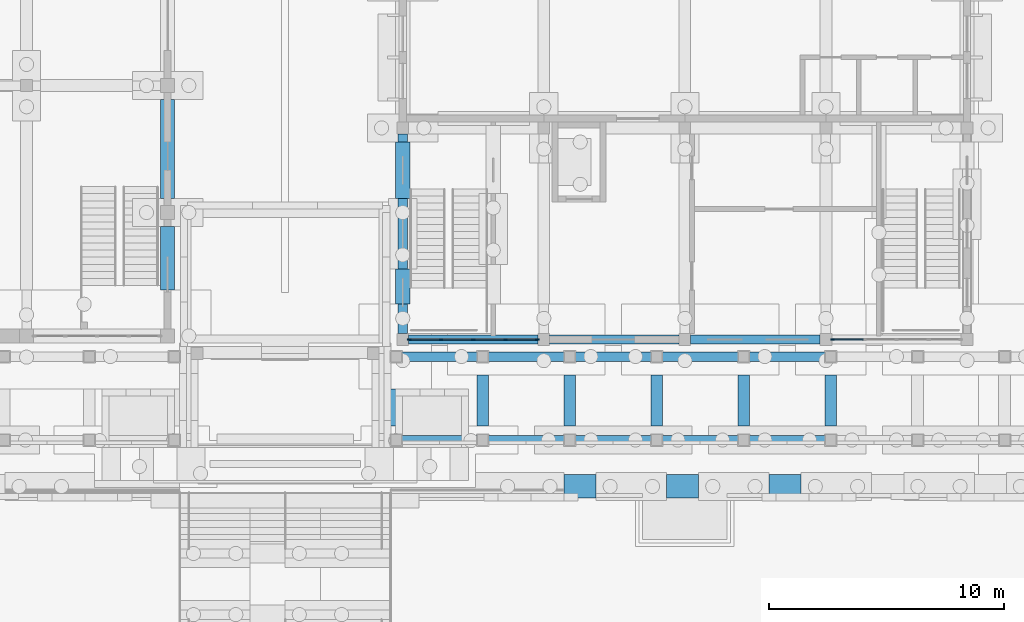
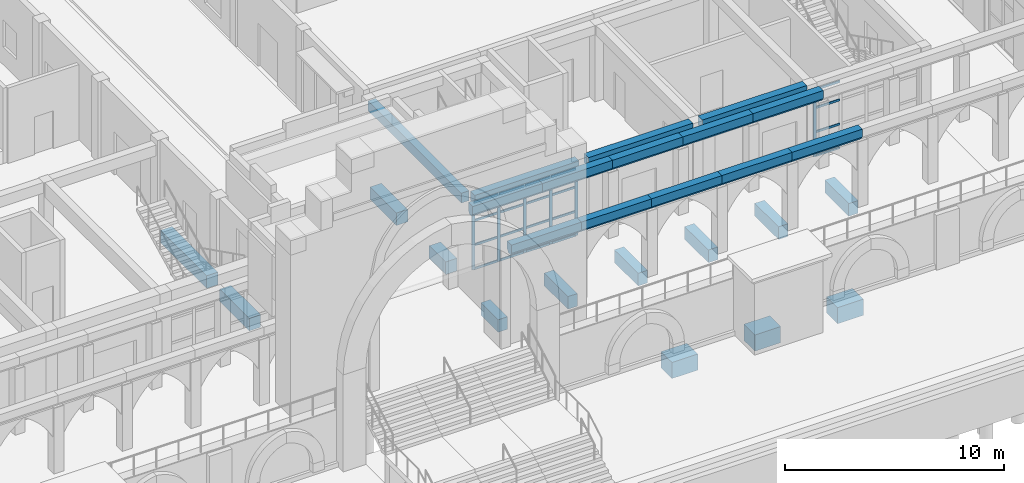
# One storey, part 12 of 161: 27 beams, 26 members, 2 elements without a shape of their own.
"""IFC4 building model written with IfcOpenShell, lengths in metres."""

import ifcopenshell
import ifcopenshell.guid

model = None  # the IFC model being written
_history = None  # IfcOwnerHistory: only IFC2X3 demands one
_inside = {}  # id of a spatial element -> (the spatial element, [elements in it])
_under = {}  # id of a project, library or spatial element -> (it, [spatial elements below it])
_declared = {}  # id of a project -> (the project, [libraries it declares])
_typed = {}  # id of a type object -> (the type object, [elements of that type])
_made_of = {}  # id of a material, layer set ... -> (it, [elements and type objects made of it])


def new_model(schema):
    """Start an empty IFC model of exactly this schema.

    Asked for "IFC4X3", IfcOpenShell would pick the latest addendum, in which some entities
    have other attributes; the version numbers below select the first issue.
    IFC2X3 requires an IfcOwnerHistory on every rooted entity: one is made here for all.
    """
    global model, _history
    if schema == "IFC4X3":
        model = ifcopenshell.file(schema_version=(4, 3, 0, 0))
    else:
        model = ifcopenshell.file(schema=schema)
    _inside.clear()
    _under.clear()
    _declared.clear()
    _typed.clear()
    _made_of.clear()
    _history = None
    if model.schema == "IFC2X3":
        org = make("IfcOrganization", Name="unknown")
        user = make(
            "IfcPersonAndOrganization",
            ThePerson=make("IfcPerson", FamilyName="unknown"),
            TheOrganization=org,
        )
        app = make(
            "IfcApplication",
            ApplicationDeveloper=org,
            Version="unknown",
            ApplicationFullName="unknown",
            ApplicationIdentifier="unknown",
        )
        _history = make(
            "IfcOwnerHistory",
            OwningUser=user,
            OwningApplication=app,
            ChangeAction="ADDED",
            CreationDate=0,
        )
    return model


def make(cls, **values):
    """One entity of the class cls with the attributes given. An attribute that is None is left unset."""
    return model.create_entity(
        cls, **{name: value for name, value in values.items() if value is not None}
    )


def rooted(cls, **values):
    """An entity with a GlobalId (a new one), such as an element, a storey or a relation."""
    return make(cls, GlobalId=ifcopenshell.guid.new(), OwnerHistory=_history, **values)


def si_unit(unit_type, name, prefix=None):
    """IfcSIUnit, for example si_unit("LENGTHUNIT", "METRE", prefix="MILLI")."""
    return make("IfcSIUnit", UnitType=unit_type, Prefix=prefix, Name=name)


def assignment(units):
    """IfcUnitAssignment: the units of a project."""
    return None if units is None else make("IfcUnitAssignment", Units=units)


def point(xyz):
    """IfcCartesianPoint."""
    return None if xyz is None else make("IfcCartesianPoint", Coordinates=xyz)


def direction(xyz):
    """IfcDirection."""
    return None if xyz is None else make("IfcDirection", DirectionRatios=xyz)


def frame(location, z_axis=None, x_axis=None):
    """IfcAxis2Placement3D, a coordinate frame: its origin and axes. An axis left out is left unset."""
    return make(
        "IfcAxis2Placement3D",
        Location=point(location),
        Axis=direction(z_axis),
        RefDirection=direction(x_axis),
    )


def frame_2d(location, x_axis=None):
    """IfcAxis2Placement2D, a coordinate frame in the plane: its origin and x axis."""
    return make(
        "IfcAxis2Placement2D", Location=point(location), RefDirection=direction(x_axis)
    )


def origin():
    """The frame at (0, 0, 0) with its axes left unset."""
    return frame((0.0, 0.0, 0.0))


def origin_2d():
    """The frame at (0, 0) in the plane with its x axis left unset."""
    return frame_2d((0.0, 0.0))


def place(relative_to, where):
    """IfcLocalPlacement: puts the frame where relative to a parent placement (None: the world)."""
    return make(
        "IfcLocalPlacement", PlacementRelTo=relative_to, RelativePlacement=where
    )


def context(
    kind, dimensions, precision=None, world=None, true_north=None, identifier=None
):
    """IfcGeometricRepresentationContext, for example the 3D "Model" context."""
    return make(
        "IfcGeometricRepresentationContext",
        ContextIdentifier=identifier,
        ContextType=kind,
        CoordinateSpaceDimension=dimensions,
        Precision=precision,
        WorldCoordinateSystem=world,
        TrueNorth=true_north,
    )


def subcontext(parent, identifier, kind, view, scale=None):
    """IfcGeometricRepresentationSubContext, for example "Body" below "Model"."""
    return make(
        "IfcGeometricRepresentationSubContext",
        ContextIdentifier=identifier,
        ContextType=kind,
        ParentContext=parent,
        TargetScale=scale,
        TargetView=view,
    )


def project(units=None, contexts=None):
    """IfcProject with its units and contexts."""
    return rooted(
        "IfcProject",
        Name="project",
        RepresentationContexts=contexts,
        UnitsInContext=assignment(units),
    )


def spatial(cls, under=None, at=None, **own):
    """A site, building, storey or space (cls), placed at a placement, below another one or the project."""
    s = rooted(cls, ObjectPlacement=at, **own)
    if under is not None:
        _under.setdefault(under.id(), (under, []))[1].append(s)
    return s


def polyline(points):
    """IfcPolyline through the points."""
    return make("IfcPolyline", Points=[point(p) for p in points])


def profile(cls, at=None, kind="AREA", **sizes):
    """A parametric profile (cls). Its sizes go by their IFC names, for example OverallWidth=200.0."""
    return make(cls, ProfileType=kind, Position=at, **sizes)


def rectangle(**sizes):
    """IfcRectangleProfileDef."""
    return profile("IfcRectangleProfileDef", **sizes)


def outline(outer, holes=None, kind="AREA"):
    """IfcArbitraryClosedProfileDef: a profile drawn as a closed curve; with holes, ...WithVoids."""
    if holes is None:
        return make("IfcArbitraryClosedProfileDef", ProfileType=kind, OuterCurve=outer)
    return make(
        "IfcArbitraryProfileDefWithVoids",
        ProfileType=kind,
        OuterCurve=outer,
        InnerCurves=holes,
    )


def extrude(swept, where, along, depth):
    """IfcExtrudedAreaSolid: the profile swept, set in the frame where, extruded along a direction by depth."""
    return make(
        "IfcExtrudedAreaSolid",
        SweptArea=swept,
        Position=where,
        ExtrudedDirection=direction(along),
        Depth=depth,
    )


def shape(context_of_items, identifier, shape_type, items):
    """IfcShapeRepresentation: the items that make up one representation, for example the "Body"."""
    return make(
        "IfcShapeRepresentation",
        ContextOfItems=context_of_items,
        RepresentationIdentifier=identifier,
        RepresentationType=shape_type,
        Items=items,
    )


def material(Name=None, Category=None):
    """IfcMaterial."""
    return make("IfcMaterial", Name=Name, Category=Category)


def material_profile(
    of_material, cross_section, Name=None, Category=None, Priority=None
):
    """IfcMaterialProfile: a cross section and its material."""
    return make(
        "IfcMaterialProfile",
        Name=Name,
        Material=of_material,
        Profile=cross_section,
        Priority=Priority,
        Category=Category,
    )


def profile_set(profiles, Name=None, composite=None):
    """IfcMaterialProfileSet."""
    return make(
        "IfcMaterialProfileSet",
        Name=Name,
        MaterialProfiles=profiles,
        CompositeProfile=composite,
    )


def made_of(thing, what):
    """Note that an element or type object is made of a material, layer set ...; save() writes the relation."""
    if what is not None:
        _made_of.setdefault(what.id(), (what, []))[1].append(thing)
    return thing


def type_object(cls, material=None, **own):
    """A type object (cls), such as IfcWallType, which elements share."""
    return made_of(rooted(cls, **own), material)


def element(
    cls,
    number,
    at=None,
    inside=None,
    cuts=None,
    type_object=None,
    material=None,
    context=None,
    identifier="Body",
    shape_type=None,
    held_by="IfcProductDefinitionShape",
    body=None,
    shapes=None,
    **own,
):
    """One element of the class cls, such as IfcWall. Its Tag is "e" and its number.

    at: its placement. inside: the storey or other place that contains it. cuts: it is an
    opening in that element (IfcRelVoidsElement). A single representation is given by context,
    identifier, shape_type and body (its items); several are given by shapes. held_by: the class
    of the entity that holds the representations. save() writes the other relations.
    """
    e = rooted(cls, Tag="e%d" % number, ObjectPlacement=at, **own)
    if body is not None:
        shapes = [shape(context, identifier, shape_type, body)]
    if shapes is not None:
        e.Representation = make(held_by, Representations=shapes)
    if inside is not None:
        _inside.setdefault(inside.id(), (inside, []))[1].append(e)
    if cuts is not None:
        rooted(
            "IfcRelVoidsElement", RelatingBuildingElement=cuts, RelatedOpeningElement=e
        )
    if type_object is not None:
        _typed.setdefault(type_object.id(), (type_object, []))[1].append(e)
    return made_of(e, material)


def aggregate(whole, parts):
    """IfcRelAggregates: a whole, such as a stair, and the parts it consists of."""
    return rooted("IfcRelAggregates", RelatingObject=whole, RelatedObjects=parts)


def save(model, path):
    """Write the relations noted so far, then the file.

    IfcRelAggregates (storeys below a building ...), IfcRelContainedInSpatialStructure (elements
    in a storey), IfcRelDefinesByType, IfcRelAssociatesMaterial and IfcRelDeclares: one each for
    every whole, place, type object, material and project.
    """
    for whole, parts in _under.values():
        aggregate(whole, parts)
    for where, things in _inside.values():
        rooted(
            "IfcRelContainedInSpatialStructure",
            RelatedElements=things,
            RelatingStructure=where,
        )
    for kind, things in _typed.values():
        rooted("IfcRelDefinesByType", RelatedObjects=things, RelatingType=kind)
    for what, things in _made_of.values():
        rooted("IfcRelAssociatesMaterial", RelatedObjects=things, RelatingMaterial=what)
    for by, libraries in _declared.values():
        rooted("IfcRelDeclares", RelatingContext=by, RelatedDefinitions=libraries)
    model.write(path)


model = new_model("IFC4")

# Units and contexts
model_context = context("Model", 3, precision=1e-05, world=origin(), true_north=direction((0.0, 1.0)))
body_context = subcontext(model_context, "Body", "Model", "MODEL_VIEW")
ifc_project = project(units=[si_unit("LENGTHUNIT", "METRE"), si_unit("AREAUNIT", "SQUARE_METRE"), si_unit("VOLUMEUNIT", "CUBIC_METRE"), si_unit("PLANEANGLEUNIT", "RADIAN"), si_unit("MASSUNIT", "GRAM", prefix="KILO")], contexts=[model_context])

# Site, building, storey
site_placement = place(None, origin())
site = spatial("IfcSite", under=ifc_project, at=site_placement, CompositionType="ELEMENT")
building_placement = place(site_placement, origin())
building = spatial("IfcBuilding", under=site, at=building_placement, Name="Elbe Cascade School", CompositionType="ELEMENT")
storey_placement = place(building_placement, origin())
storey = spatial("IfcBuildingStorey", under=building, at=storey_placement, Name="L00", CompositionType="ELEMENT", Elevation=0.0)

# Beams
ifc_material_1 = material(Name="Concrete C30/37", Category="concrete")
ifc_material_profile_1 = material_profile(ifc_material_1, rectangle(XDim=0.39990234375, YDim=0.5, at=origin_2d()), Name="RC 400x500")
ifc_profile_set_1 = profile_set([ifc_material_profile_1], Name="Concrete C30/37")
beam_type_1 = type_object("IfcBeamType", Name="Assembly hall beam RC 400x500", PredefinedType="BEAM", material=ifc_profile_set_1)
for number, where, z_axis, x_axis, name in (
    (1, (39.25, 6.0, 4.0), (1.0, 0.0, 0.0), (0.0, 1.0, 0.0), "Assembly hall beam RC 400x500 B19"),
    (2, (45.25, 6.0, 4.0), (1.0, 0.0, 0.0), (0.0, 1.0, 0.0), "Assembly hall beam RC 400x500 B19"),
    (3, (51.25, 6.0, 4.0), (1.0, 0.0, 0.0), (0.0, 1.0, 0.0), "Assembly hall beam RC 400x500 B19"),
):
    element("IfcBeam", number, at=place(storey_placement, frame(where, z_axis=z_axis, x_axis=x_axis)), inside=storey, type_object=beam_type_1, Name=name, PredefinedType="BEAM", context=body_context, shape_type="SweptSolid", body=[
        extrude(rectangle(XDim=0.39990234375, YDim=0.5, at=origin_2d()), origin(), (0.0, 0.0, 1.0), 5.5),
    ])
ifc_material_2 = material(Name="Concrete C30/37", Category="concrete")
ifc_material_profile_2 = material_profile(ifc_material_2, rectangle(XDim=0.39990234375, YDim=0.550048828125, at=origin_2d()), Name="RC 400x550")
ifc_profile_set_2 = profile_set([ifc_material_profile_2], Name="Concrete C30/37")
beam_type_2 = type_object("IfcBeamType", Name="Assembly hall beam RC 400x550", PredefinedType="BEAM", material=ifc_profile_set_2)
beam_1_placement = place(storey_placement, frame((39.0, 6.25, 3.97509765625), z_axis=(0.0, 1.0, 0.0), x_axis=(-1.0, 0.0, 0.0)))
element("IfcBeam", 4, at=beam_1_placement, inside=storey, type_object=beam_type_2, Name="Assembly hall beam RC 400x550 B21", PredefinedType="BEAM", context=body_context, shape_type="SweptSolid", body=[
    extrude(rectangle(XDim=0.39990234375, YDim=0.550048828125, at=origin_2d()), origin(), (0.0, 0.0, 1.0), 8.5),
])

# Curtain wall, members
ifc_material_3 = material(Name="Cafe curtain wall")
curtain_wall_type = type_object("IfcCurtainWallType", Name="Cafe curtain wall", PredefinedType="NOTDEFINED", material=ifc_material_3)
curtain_wall_1_placement = place(storey_placement, origin())
curtain_wall_1 = element("IfcCurtainWall", 5, at=curtain_wall_1_placement, inside=storey, type_object=curtain_wall_type, Name="Curtain wall CW1 DI.L00.cw.s0", PredefinedType="NOTDEFINED")
ifc_material_4 = material(Name="Aluminium - bronze anodised", Category="aluminium")
ifc_material_profile_3 = material_profile(ifc_material_4, rectangle(XDim=0.06005859375, YDim=0.159912109375, at=origin_2d()), Name="RECT 60x160")
ifc_profile_set_3 = profile_set([ifc_material_profile_3], Name="Aluminium - bronze anodised")
member_type_1 = type_object("IfcMemberType", Name="Cafe curtain wall mullion 60 x 160", PredefinedType="MULLION", material=ifc_profile_set_3)
member_1_placement = place(storey_placement, frame((39.280029296875, 6.0, 0.0), z_axis=(0.0, 0.0, 1.0), x_axis=(0.0, 1.0, 0.0)))
member_1 = element("IfcMember", 6, at=member_1_placement, type_object=member_type_1, Name="CW1 mullion 1", PredefinedType="MULLION", context=body_context, shape_type="SweptSolid", body=[
    extrude(rectangle(XDim=0.06005859375, YDim=0.159912109375, at=origin_2d()), origin(), (0.0, 0.0, 1.0), 3.75),
])
member_2_placement = place(storey_placement, frame((40.625, 6.0, 0.0), z_axis=(0.0, 0.0, 1.0), x_axis=(0.0, 1.0, 0.0)))
member_2 = element("IfcMember", 7, at=member_2_placement, type_object=member_type_1, Name="CW1 mullion 2", PredefinedType="MULLION", context=body_context, shape_type="SweptSolid", body=[
    extrude(rectangle(XDim=0.06005859375, YDim=0.159912109375, at=origin_2d()), origin(), (0.0, 0.0, 1.0), 3.75),
])
member_3_placement = place(storey_placement, frame((42.0, 6.0, 0.0), z_axis=(0.0, 0.0, 1.0), x_axis=(0.0, 1.0, 0.0)))
member_3 = element("IfcMember", 8, at=member_3_placement, type_object=member_type_1, Name="CW1 mullion 3", PredefinedType="MULLION", context=body_context, shape_type="SweptSolid", body=[
    extrude(rectangle(XDim=0.06005859375, YDim=0.159912109375, at=origin_2d()), origin(), (0.0, 0.0, 1.0), 3.75),
])
member_4_placement = place(storey_placement, frame((43.375, 6.0, 0.0), z_axis=(0.0, 0.0, 1.0), x_axis=(0.0, 1.0, 0.0)))
member_4 = element("IfcMember", 9, at=member_4_placement, type_object=member_type_1, Name="CW1 mullion 4", PredefinedType="MULLION", context=body_context, shape_type="SweptSolid", body=[
    extrude(rectangle(XDim=0.06005859375, YDim=0.159912109375, at=origin_2d()), origin(), (0.0, 0.0, 1.0), 3.75),
])
member_5_placement = place(storey_placement, frame((44.719970703125, 6.0, 0.0), z_axis=(0.0, 0.0, 1.0), x_axis=(0.0, 1.0, 0.0)))
member_5 = element("IfcMember", 10, at=member_5_placement, type_object=member_type_1, Name="CW1 mullion 5", PredefinedType="MULLION", context=body_context, shape_type="SweptSolid", body=[
    extrude(rectangle(XDim=0.06005859375, YDim=0.159912109375, at=origin_2d()), origin(), (0.0, 0.0, 1.0), 3.75),
])

# Curtain wall, member
curtain_wall_2_placement = place(storey_placement, origin())
curtain_wall_2 = element("IfcCurtainWall", 11, at=curtain_wall_2_placement, inside=storey, type_object=curtain_wall_type, Name="Curtain wall CW1 DI.L00.cw.s3", PredefinedType="NOTDEFINED")
member_6_placement = place(storey_placement, frame((57.280029296875, 6.0, 0.0), z_axis=(0.0, 0.0, 1.0), x_axis=(0.0, 1.0, 0.0)))
member_6 = element("IfcMember", 12, at=member_6_placement, type_object=member_type_1, Name="CW1 mullion 1", PredefinedType="MULLION", context=body_context, shape_type="SweptSolid", body=[
    extrude(rectangle(XDim=0.06005859375, YDim=0.159912109375, at=origin_2d()), origin(), (0.0, 0.0, 1.0), 3.75),
])

# Member
ifc_material_5 = material(Name="Aluminium - bronze anodised", Category="aluminium")
ifc_material_profile_4 = material_profile(ifc_material_5, rectangle(XDim=0.06005859375, YDim=0.1201171875, at=origin_2d()), Name="RECT 60x120")
ifc_profile_set_4 = profile_set([ifc_material_profile_4], Name="Aluminium - bronze anodised")
member_type_2 = type_object("IfcMemberType", Name="Cafe curtain wall transom 60 x 120", PredefinedType="USERDEFINED", material=ifc_profile_set_4)
member_7_placement = place(storey_placement, frame((39.31005859375, 6.0, 0.030029296875), z_axis=(1.0, 0.0, 0.0), x_axis=(0.0, 1.0, 0.0)))
member_7 = element("IfcMember", 13, at=member_7_placement, type_object=member_type_2, Name="CW1 transom 1.1", ObjectType="TRANSOM", PredefinedType="USERDEFINED", context=body_context, shape_type="SweptSolid", body=[
    extrude(rectangle(XDim=0.06005859375, YDim=0.1201171875, at=origin_2d()), origin(), (0.0, 0.0, 1.0), 1.284912109375),
])

member_8_placement = place(storey_placement, frame((39.31005859375, 6.0, 1.35009765625), z_axis=(1.0, 0.0, 0.0), x_axis=(0.0, 1.0, 0.0)))
member_8 = element("IfcMember", 14, at=member_8_placement, type_object=member_type_2, Name="CW1 transom 1.2", ObjectType="TRANSOM", PredefinedType="USERDEFINED", context=body_context, shape_type="SweptSolid", body=[
    extrude(rectangle(XDim=0.06005859375, YDim=0.1201171875, at=origin_2d()), origin(), (0.0, 0.0, 1.0), 1.284912109375),
])

member_9_placement = place(storey_placement, frame((39.31005859375, 6.0, 2.699951171875), z_axis=(1.0, 0.0, 0.0), x_axis=(0.0, 1.0, 0.0)))
member_9 = element("IfcMember", 15, at=member_9_placement, type_object=member_type_2, Name="CW1 transom 1.3", ObjectType="TRANSOM", PredefinedType="USERDEFINED", context=body_context, shape_type="SweptSolid", body=[
    extrude(rectangle(XDim=0.06005859375, YDim=0.1201171875, at=origin_2d()), origin(), (0.0, 0.0, 1.0), 1.284912109375),
])

member_10_placement = place(storey_placement, frame((39.31005859375, 6.0, 3.719970703125), z_axis=(1.0, 0.0, 0.0), x_axis=(0.0, 1.0, 0.0)))
member_10 = element("IfcMember", 16, at=member_10_placement, type_object=member_type_2, Name="CW1 transom 1.4", ObjectType="TRANSOM", PredefinedType="USERDEFINED", context=body_context, shape_type="SweptSolid", body=[
    extrude(rectangle(XDim=0.06005859375, YDim=0.1201171875, at=origin_2d()), origin(), (0.0, 0.0, 1.0), 1.284912109375),
])

member_11_placement = place(storey_placement, frame((40.655029296875, 6.0, 0.030029296875), z_axis=(1.0, 0.0, 0.0), x_axis=(0.0, 1.0, 0.0)))
member_11 = element("IfcMember", 17, at=member_11_placement, type_object=member_type_2, Name="CW1 transom 2.1", ObjectType="TRANSOM", PredefinedType="USERDEFINED", context=body_context, shape_type="SweptSolid", body=[
    extrude(rectangle(XDim=0.06005859375, YDim=0.1201171875, at=origin_2d()), origin(), (0.0, 0.0, 1.0), 1.31494140625),
])

member_12_placement = place(storey_placement, frame((40.655029296875, 6.0, 1.35009765625), z_axis=(1.0, 0.0, 0.0), x_axis=(0.0, 1.0, 0.0)))
member_12 = element("IfcMember", 18, at=member_12_placement, type_object=member_type_2, Name="CW1 transom 2.2", ObjectType="TRANSOM", PredefinedType="USERDEFINED", context=body_context, shape_type="SweptSolid", body=[
    extrude(rectangle(XDim=0.06005859375, YDim=0.1201171875, at=origin_2d()), origin(), (0.0, 0.0, 1.0), 1.31494140625),
])

member_13_placement = place(storey_placement, frame((40.655029296875, 6.0, 2.699951171875), z_axis=(1.0, 0.0, 0.0), x_axis=(0.0, 1.0, 0.0)))
member_13 = element("IfcMember", 19, at=member_13_placement, type_object=member_type_2, Name="CW1 transom 2.3", ObjectType="TRANSOM", PredefinedType="USERDEFINED", context=body_context, shape_type="SweptSolid", body=[
    extrude(rectangle(XDim=0.06005859375, YDim=0.1201171875, at=origin_2d()), origin(), (0.0, 0.0, 1.0), 1.31494140625),
])

member_14_placement = place(storey_placement, frame((40.655029296875, 6.0, 3.719970703125), z_axis=(1.0, 0.0, 0.0), x_axis=(0.0, 1.0, 0.0)))
member_14 = element("IfcMember", 20, at=member_14_placement, type_object=member_type_2, Name="CW1 transom 2.4", ObjectType="TRANSOM", PredefinedType="USERDEFINED", context=body_context, shape_type="SweptSolid", body=[
    extrude(rectangle(XDim=0.06005859375, YDim=0.1201171875, at=origin_2d()), origin(), (0.0, 0.0, 1.0), 1.31494140625),
])

member_15_placement = place(storey_placement, frame((42.030029296875, 6.0, 0.030029296875), z_axis=(1.0, 0.0, 0.0), x_axis=(0.0, 1.0, 0.0)))
member_15 = element("IfcMember", 21, at=member_15_placement, type_object=member_type_2, Name="CW1 transom 3.1", ObjectType="TRANSOM", PredefinedType="USERDEFINED", context=body_context, shape_type="SweptSolid", body=[
    extrude(rectangle(XDim=0.06005859375, YDim=0.1201171875, at=origin_2d()), origin(), (0.0, 0.0, 1.0), 1.31494140625),
])

member_16_placement = place(storey_placement, frame((42.030029296875, 6.0, 1.35009765625), z_axis=(1.0, 0.0, 0.0), x_axis=(0.0, 1.0, 0.0)))
member_16 = element("IfcMember", 22, at=member_16_placement, type_object=member_type_2, Name="CW1 transom 3.2", ObjectType="TRANSOM", PredefinedType="USERDEFINED", context=body_context, shape_type="SweptSolid", body=[
    extrude(rectangle(XDim=0.06005859375, YDim=0.1201171875, at=origin_2d()), origin(), (0.0, 0.0, 1.0), 1.31494140625),
])

member_17_placement = place(storey_placement, frame((42.030029296875, 6.0, 2.699951171875), z_axis=(1.0, 0.0, 0.0), x_axis=(0.0, 1.0, 0.0)))
member_17 = element("IfcMember", 23, at=member_17_placement, type_object=member_type_2, Name="CW1 transom 3.3", ObjectType="TRANSOM", PredefinedType="USERDEFINED", context=body_context, shape_type="SweptSolid", body=[
    extrude(rectangle(XDim=0.06005859375, YDim=0.1201171875, at=origin_2d()), origin(), (0.0, 0.0, 1.0), 1.31494140625),
])

member_18_placement = place(storey_placement, frame((42.030029296875, 6.0, 3.719970703125), z_axis=(1.0, 0.0, 0.0), x_axis=(0.0, 1.0, 0.0)))
member_18 = element("IfcMember", 24, at=member_18_placement, type_object=member_type_2, Name="CW1 transom 3.4", ObjectType="TRANSOM", PredefinedType="USERDEFINED", context=body_context, shape_type="SweptSolid", body=[
    extrude(rectangle(XDim=0.06005859375, YDim=0.1201171875, at=origin_2d()), origin(), (0.0, 0.0, 1.0), 1.31494140625),
])

member_19_placement = place(storey_placement, frame((43.405029296875, 6.0, 0.030029296875), z_axis=(1.0, 0.0, 0.0), x_axis=(0.0, 1.0, 0.0)))
member_19 = element("IfcMember", 25, at=member_19_placement, type_object=member_type_2, Name="CW1 transom 4.1", ObjectType="TRANSOM", PredefinedType="USERDEFINED", context=body_context, shape_type="SweptSolid", body=[
    extrude(rectangle(XDim=0.06005859375, YDim=0.1201171875, at=origin_2d()), origin(), (0.0, 0.0, 1.0), 1.284912109375),
])

member_20_placement = place(storey_placement, frame((43.405029296875, 6.0, 1.35009765625), z_axis=(1.0, 0.0, 0.0), x_axis=(0.0, 1.0, 0.0)))
member_20 = element("IfcMember", 26, at=member_20_placement, type_object=member_type_2, Name="CW1 transom 4.2", ObjectType="TRANSOM", PredefinedType="USERDEFINED", context=body_context, shape_type="SweptSolid", body=[
    extrude(rectangle(XDim=0.06005859375, YDim=0.1201171875, at=origin_2d()), origin(), (0.0, 0.0, 1.0), 1.284912109375),
])

member_21_placement = place(storey_placement, frame((43.405029296875, 6.0, 2.699951171875), z_axis=(1.0, 0.0, 0.0), x_axis=(0.0, 1.0, 0.0)))
member_21 = element("IfcMember", 27, at=member_21_placement, type_object=member_type_2, Name="CW1 transom 4.3", ObjectType="TRANSOM", PredefinedType="USERDEFINED", context=body_context, shape_type="SweptSolid", body=[
    extrude(rectangle(XDim=0.06005859375, YDim=0.1201171875, at=origin_2d()), origin(), (0.0, 0.0, 1.0), 1.284912109375),
])

member_22_placement = place(storey_placement, frame((43.405029296875, 6.0, 3.719970703125), z_axis=(1.0, 0.0, 0.0), x_axis=(0.0, 1.0, 0.0)))
member_22 = element("IfcMember", 28, at=member_22_placement, type_object=member_type_2, Name="CW1 transom 4.4", ObjectType="TRANSOM", PredefinedType="USERDEFINED", context=body_context, shape_type="SweptSolid", body=[
    extrude(rectangle(XDim=0.06005859375, YDim=0.1201171875, at=origin_2d()), origin(), (0.0, 0.0, 1.0), 1.284912109375),
])

aggregate(curtain_wall_1, [member_1, member_2, member_3, member_4, member_5, member_7, member_8, member_9, member_10, member_11, member_12, member_13, member_14, member_15, member_16, member_17, member_18, member_19, member_20, member_21, member_22])

member_23_placement = place(storey_placement, frame((57.31005859375, 6.0, 0.030029296875), z_axis=(1.0, 0.0, 0.0), x_axis=(0.0, 1.0, 0.0)))
member_23 = element("IfcMember", 29, at=member_23_placement, type_object=member_type_2, Name="CW1 transom 1.1", ObjectType="TRANSOM", PredefinedType="USERDEFINED", context=body_context, shape_type="SweptSolid", body=[
    extrude(rectangle(XDim=0.06005859375, YDim=0.1201171875, at=origin_2d()), origin(), (0.0, 0.0, 1.0), 1.284912109375),
])

member_24_placement = place(storey_placement, frame((57.31005859375, 6.0, 1.35009765625), z_axis=(1.0, 0.0, 0.0), x_axis=(0.0, 1.0, 0.0)))
member_24 = element("IfcMember", 30, at=member_24_placement, type_object=member_type_2, Name="CW1 transom 1.2", ObjectType="TRANSOM", PredefinedType="USERDEFINED", context=body_context, shape_type="SweptSolid", body=[
    extrude(rectangle(XDim=0.06005859375, YDim=0.1201171875, at=origin_2d()), origin(), (0.0, 0.0, 1.0), 1.284912109375),
])

member_25_placement = place(storey_placement, frame((57.31005859375, 6.0, 2.699951171875), z_axis=(1.0, 0.0, 0.0), x_axis=(0.0, 1.0, 0.0)))
member_25 = element("IfcMember", 31, at=member_25_placement, type_object=member_type_2, Name="CW1 transom 1.3", ObjectType="TRANSOM", PredefinedType="USERDEFINED", context=body_context, shape_type="SweptSolid", body=[
    extrude(rectangle(XDim=0.06005859375, YDim=0.1201171875, at=origin_2d()), origin(), (0.0, 0.0, 1.0), 1.284912109375),
])

member_26_placement = place(storey_placement, frame((57.31005859375, 6.0, 3.719970703125), z_axis=(1.0, 0.0, 0.0), x_axis=(0.0, 1.0, 0.0)))
member_26 = element("IfcMember", 32, at=member_26_placement, type_object=member_type_2, Name="CW1 transom 1.4", ObjectType="TRANSOM", PredefinedType="USERDEFINED", context=body_context, shape_type="SweptSolid", body=[
    extrude(rectangle(XDim=0.06005859375, YDim=0.1201171875, at=origin_2d()), origin(), (0.0, 0.0, 1.0), 1.284912109375),
])

aggregate(curtain_wall_2, [member_6, member_23, member_24, member_25, member_26])

# Beams
ifc_material_6 = material(Name="Concrete C35/45", Category="concrete")
ifc_material_profile_5 = material_profile(ifc_material_6, outline(polyline([(-0.199951171875, 0.300048828125), (0.199951171875, 0.300048828125), (0.199951171875, -0.14990234375), (0.10009765625, -0.300048828125), (-0.10009765625, -0.300048828125), (-0.199951171875, -0.14990234375), (-0.199951171875, 0.300048828125)])), Name="RC arch 400x600")
ifc_profile_set_5 = profile_set([ifc_material_profile_5], Name="Concrete C35/45")
beam_type_3 = type_object("IfcBeamType", Name="Colonnade arch beam 400x600", PredefinedType="USERDEFINED", material=ifc_profile_set_5)
beam_2_placement = place(storey_placement, frame((38.72509765625, 1.72509765625, 3.949951171875), z_axis=(1.0, 0.0, 0.0), x_axis=(0.0, 1.0, 0.0)))
element("IfcBeam", 33, at=beam_2_placement, inside=storey, type_object=beam_type_3, Name="Colonnade arch beam F9", ObjectType="ARCH", PredefinedType="USERDEFINED", context=body_context, shape_type="SweptSolid", body=[
    extrude(outline(polyline([(-0.199951171875, 0.300048828125), (0.199951171875, 0.300048828125), (0.199951171875, -0.14990234375), (0.10009765625, -0.300048828125), (-0.10009765625, -0.300048828125), (-0.199951171875, -0.14990234375), (-0.199951171875, 0.300048828125)])), origin(), (0.0, 0.0, 1.0), 3.6748046875),
])
beam_3_placement = place(storey_placement, frame((42.39990234375, 1.72509765625, 3.949951171875), z_axis=(1.0, 0.0, 0.0), x_axis=(0.0, 1.0, 0.0)))
element("IfcBeam", 34, at=beam_3_placement, inside=storey, type_object=beam_type_3, Name="Colonnade arch beam F10", ObjectType="ARCH", PredefinedType="USERDEFINED", context=body_context, shape_type="SweptSolid", body=[
    extrude(outline(polyline([(-0.199951171875, 0.300048828125), (0.199951171875, 0.300048828125), (0.199951171875, -0.14990234375), (0.10009765625, -0.300048828125), (-0.10009765625, -0.300048828125), (-0.199951171875, -0.14990234375), (-0.199951171875, 0.300048828125)])), origin(), (0.0, 0.0, 1.0), 3.7001953125),
])
for number, where, z_axis, x_axis, name in (
    (35, (46.10009765625, 1.72509765625, 3.949951171875), (1.0, 0.0, 0.0), (0.0, 1.0, 0.0), "Colonnade arch beam F11"),
    (36, (49.800048828125, 1.72509765625, 3.949951171875), (1.0, 0.0, 0.0), (0.0, 1.0, 0.0), "Colonnade arch beam F12"),
    (37, (53.5, 1.72509765625, 3.949951171875), (1.0, 0.0, 0.0), (0.0, 1.0, 0.0), "Colonnade arch beam F13"),
):
    element("IfcBeam", number, at=place(storey_placement, frame(where, z_axis=z_axis, x_axis=x_axis)), inside=storey, type_object=beam_type_3, Name=name, ObjectType="ARCH", PredefinedType="USERDEFINED", context=body_context, shape_type="SweptSolid", body=[
        extrude(outline(polyline([(-0.199951171875, 0.300048828125), (0.199951171875, 0.300048828125), (0.199951171875, -0.14990234375), (0.10009765625, -0.300048828125), (-0.10009765625, -0.300048828125), (-0.199951171875, -0.14990234375), (-0.199951171875, 0.300048828125)])), origin(), (0.0, 0.0, 1.0), 3.699951171875),
    ])
beam_4_placement = place(storey_placement, frame((38.72509765625, 5.27490234375, 3.949951171875), z_axis=(1.0, 0.0, 0.0), x_axis=(0.0, 1.0, 0.0)))
element("IfcBeam", 38, at=beam_4_placement, inside=storey, type_object=beam_type_3, Name="Colonnade arch beam R9", ObjectType="ARCH", PredefinedType="USERDEFINED", context=body_context, shape_type="SweptSolid", body=[
    extrude(outline(polyline([(-0.199951171875, 0.300048828125), (0.199951171875, 0.300048828125), (0.199951171875, -0.14990234375), (0.10009765625, -0.300048828125), (-0.10009765625, -0.300048828125), (-0.199951171875, -0.14990234375), (-0.199951171875, 0.300048828125)])), origin(), (0.0, 0.0, 1.0), 3.6748046875),
])
beam_5_placement = place(storey_placement, frame((42.39990234375, 5.27490234375, 3.949951171875), z_axis=(1.0, 0.0, 0.0), x_axis=(0.0, 1.0, 0.0)))
element("IfcBeam", 39, at=beam_5_placement, inside=storey, type_object=beam_type_3, Name="Colonnade arch beam R10", ObjectType="ARCH", PredefinedType="USERDEFINED", context=body_context, shape_type="SweptSolid", body=[
    extrude(outline(polyline([(-0.199951171875, 0.300048828125), (0.199951171875, 0.300048828125), (0.199951171875, -0.14990234375), (0.10009765625, -0.300048828125), (-0.10009765625, -0.300048828125), (-0.199951171875, -0.14990234375), (-0.199951171875, 0.300048828125)])), origin(), (0.0, 0.0, 1.0), 3.7001953125),
])
for number, where, z_axis, x_axis, name in (
    (40, (46.10009765625, 5.27490234375, 3.949951171875), (1.0, 0.0, 0.0), (0.0, 1.0, 0.0), "Colonnade arch beam R11"),
    (41, (49.800048828125, 5.27490234375, 3.949951171875), (1.0, 0.0, 0.0), (0.0, 1.0, 0.0), "Colonnade arch beam R12"),
    (42, (53.5, 5.27490234375, 3.949951171875), (1.0, 0.0, 0.0), (0.0, 1.0, 0.0), "Colonnade arch beam R13"),
):
    element("IfcBeam", number, at=place(storey_placement, frame(where, z_axis=z_axis, x_axis=x_axis)), inside=storey, type_object=beam_type_3, Name=name, ObjectType="ARCH", PredefinedType="USERDEFINED", context=body_context, shape_type="SweptSolid", body=[
        extrude(outline(polyline([(-0.199951171875, 0.300048828125), (0.199951171875, 0.300048828125), (0.199951171875, -0.14990234375), (0.10009765625, -0.300048828125), (-0.10009765625, -0.300048828125), (-0.199951171875, -0.14990234375), (-0.199951171875, 0.300048828125)])), origin(), (0.0, 0.0, 1.0), 3.699951171875),
    ])
ifc_material_7 = material(Name="Concrete C30/37", Category="concrete")
ifc_material_profile_6 = material_profile(ifc_material_7, rectangle(XDim=1.0, YDim=0.89990234375, at=origin_2d()), Name="RC 1000x900")
ifc_profile_set_6 = profile_set([ifc_material_profile_6], Name="Concrete C30/37")
beam_type_4 = type_object("IfcBeamType", Name="Found ground beam RC 1000x900", PredefinedType="BEAM", material=ifc_profile_set_6)
for number, where, z_axis, x_axis, name in (
    (43, (45.862060546875, -0.25, -3.85009765625), (1.0, 0.0, 0.0), (0.0, 1.0, 0.0), "Ground beam 001"),
    (44, (50.22412109375, -0.25, -3.85009765625), (1.0, 0.0, 0.0), (0.0, 1.0, 0.0), "Ground beam 002"),
    (45, (54.586181640625, -0.25, -3.85009765625), (1.0, 0.0, 0.0), (0.0, 1.0, 0.0), "Ground beam 003"),
):
    element("IfcBeam", number, at=place(storey_placement, frame(where, z_axis=z_axis, x_axis=x_axis)), inside=storey, type_object=beam_type_4, Name=name, PredefinedType="BEAM", context=body_context, shape_type="SweptSolid", body=[
        extrude(rectangle(XDim=1.0, YDim=0.89990234375, at=origin_2d()), origin(), (0.0, 0.0, 1.0), 1.362060546875),
    ])
ifc_material_8 = material(Name="Concrete C30/37", Category="concrete")
ifc_material_profile_7 = material_profile(ifc_material_8, rectangle(XDim=0.5, YDim=0.699951171875, at=origin_2d()), Name="RC 500x700")
ifc_profile_set_7 = profile_set([ifc_material_profile_7], Name="Concrete C30/37")
beam_type_5 = type_object("IfcBeamType", Name="Found ground beam RC 500x700", PredefinedType="BEAM", material=ifc_profile_set_7)
beam_6_placement = place(storey_placement, frame((38.72509765625, 2.324951171875, -0.64990234375), z_axis=(0.0, 1.0, 0.0), x_axis=(-1.0, 0.0, 0.0)))
element("IfcBeam", 46, at=beam_6_placement, inside=storey, type_object=beam_type_5, Name="Ground beam 386", PredefinedType="BEAM", context=body_context, shape_type="SweptSolid", body=[
    extrude(rectangle(XDim=0.5, YDim=0.699951171875, at=origin_2d()), origin(), (0.0, 0.0, 1.0), 1.574951171875),
])
for number, where, z_axis, x_axis, name in (
    (47, (42.39990234375, 2.324951171875, -0.64990234375), (0.0, 1.0, 0.0), (-1.0, 0.0, 0.0), "Ground beam 387"),
    (48, (46.10009765625, 2.324951171875, -0.64990234375), (0.0, 1.0, 0.0), (-1.0, 0.0, 0.0), "Ground beam 388"),
    (49, (49.800048828125, 2.324951171875, -0.64990234375), (0.0, 1.0, 0.0), (-1.0, 0.0, 0.0), "Ground beam 389"),
    (50, (53.5, 2.324951171875, -0.64990234375), (0.0, 1.0, 0.0), (-1.0, 0.0, 0.0), "Ground beam 390"),
    (51, (57.199951171875, 2.324951171875, -0.64990234375), (0.0, 1.0, 0.0), (-1.0, 0.0, 0.0), "Ground beam 391"),
):
    element("IfcBeam", number, at=place(storey_placement, frame(where, z_axis=z_axis, x_axis=x_axis)), inside=storey, type_object=beam_type_5, Name=name, PredefinedType="BEAM", context=body_context, shape_type="SweptSolid", body=[
        extrude(rectangle(XDim=0.5, YDim=0.699951171875, at=origin_2d()), origin(), (0.0, 0.0, 1.0), 2.175048828125),
    ])
ifc_material_9 = material(Name="Concrete C30/37", Category="concrete")
ifc_material_profile_8 = material_profile(ifc_material_9, rectangle(XDim=0.60009765625, YDim=0.699951171875, at=origin_2d()), Name="RC 600x700")
ifc_profile_set_8 = profile_set([ifc_material_profile_8], Name="Concrete C30/37")
beam_type_6 = type_object("IfcBeamType", Name="Found ground beam RC 600x700", PredefinedType="BEAM", material=ifc_profile_set_8)
beam_7_placement = place(storey_placement, frame((39.0, 7.5, -0.64990234375), z_axis=(0.0, 1.0, 0.0), x_axis=(-1.0, 0.0, 0.0)))
element("IfcBeam", 52, at=beam_7_placement, inside=storey, type_object=beam_type_6, Name="Ground beam 102", PredefinedType="BEAM", context=body_context, shape_type="SweptSolid", body=[
    extrude(rectangle(XDim=0.60009765625, YDim=0.699951171875, at=origin_2d()), origin(), (0.0, 0.0, 1.0), 1.5),
])
beam_8_placement = place(storey_placement, frame((39.0, 12.0, -0.64990234375), z_axis=(0.0, 1.0, 0.0), x_axis=(-1.0, 0.0, 0.0)))
element("IfcBeam", 53, at=beam_8_placement, inside=storey, type_object=beam_type_6, Name="Ground beam 103", PredefinedType="BEAM", context=body_context, shape_type="SweptSolid", body=[
    extrude(rectangle(XDim=0.60009765625, YDim=0.699951171875, at=origin_2d()), origin(), (0.0, 0.0, 1.0), 2.39990234375),
])
beam_9_placement = place(storey_placement, frame((29.0, 8.10009765625, -0.64990234375), z_axis=(0.0, 1.0, 0.0), x_axis=(-1.0, 0.0, 0.0)))
element("IfcBeam", 54, at=beam_9_placement, inside=storey, type_object=beam_type_6, Name="Ground beam 111", PredefinedType="BEAM", context=body_context, shape_type="SweptSolid", body=[
    extrude(rectangle(XDim=0.60009765625, YDim=0.699951171875, at=origin_2d()), origin(), (0.0, 0.0, 1.0), 2.699951171875),
])
beam_10_placement = place(storey_placement, frame((29.0, 12.0, -0.64990234375), z_axis=(0.0, 1.0, 0.0), x_axis=(-1.0, 0.0, 0.0)))
element("IfcBeam", 55, at=beam_10_placement, inside=storey, type_object=beam_type_6, Name="Ground beam 112", PredefinedType="BEAM", context=body_context, shape_type="SweptSolid", body=[
    extrude(rectangle(XDim=0.60009765625, YDim=0.699951171875, at=origin_2d()), origin(), (0.0, 0.0, 1.0), 4.199951171875),
])

save(model, "model.ifc")
